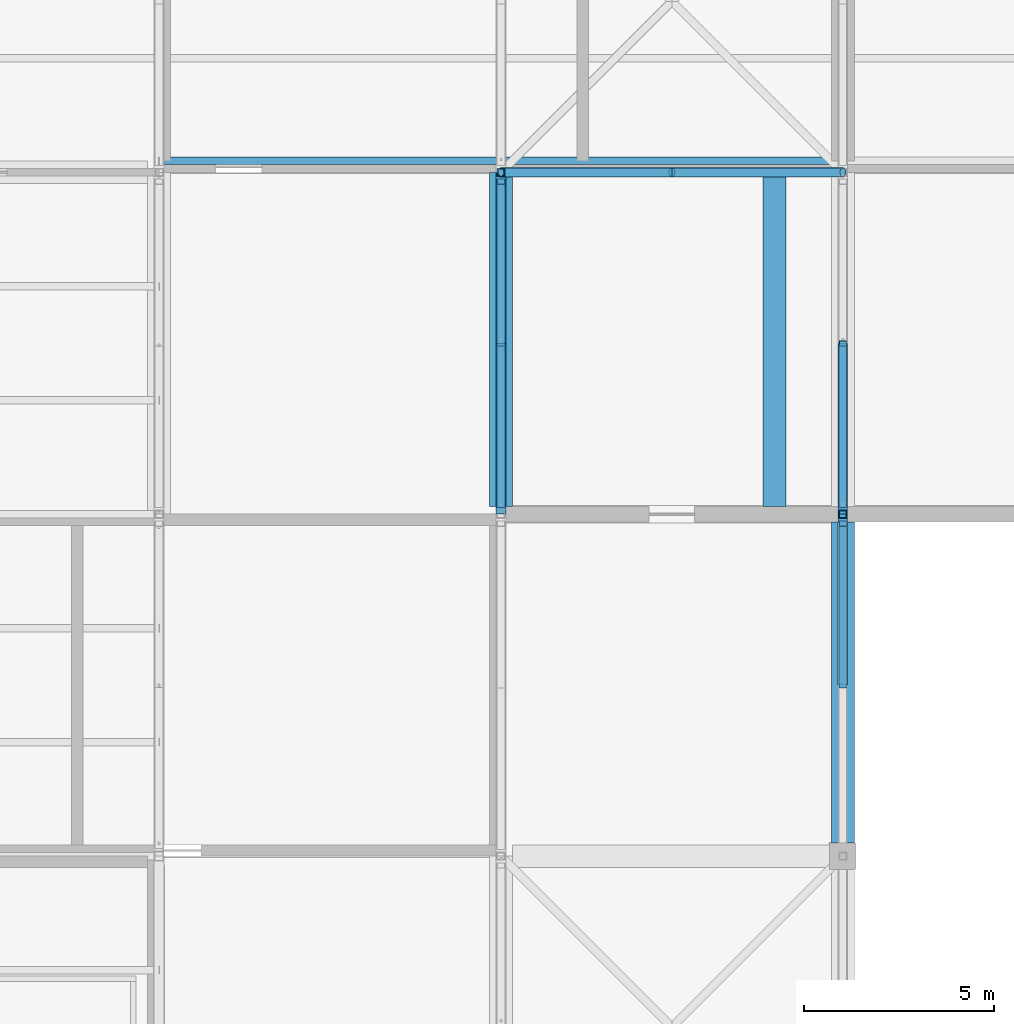
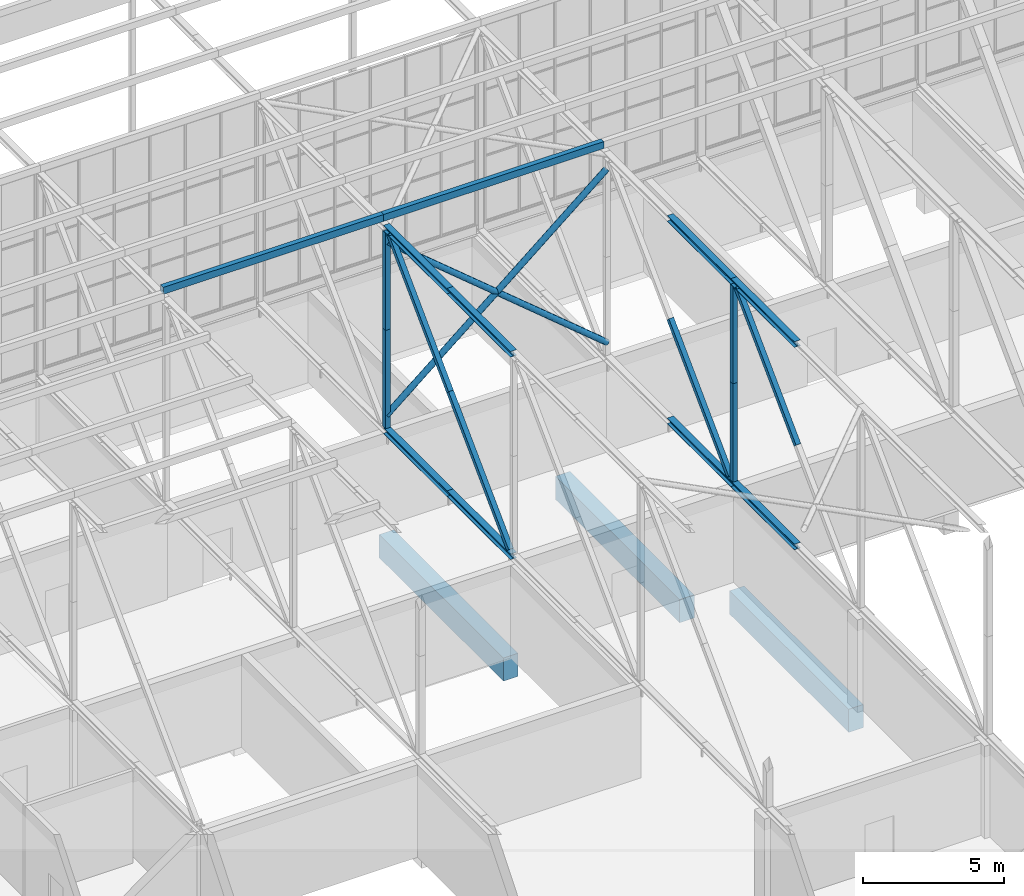
# One storey, part 67 of 646: 22 members, 3 beams.
"""IFC4 building model written with IfcOpenShell, lengths in metres."""

from ifc_helpers import new_model, si_unit, direction, frame, origin, origin_2d, place, context, subcontext, project, spatial, rectangle, hollow_rectangle, hollow_circle, i_section, extrude, material, material_profile, profile_set, type_object, element, save


model = new_model("IFC4")

# Units and contexts
model_context = context("Model", 3, precision=1e-05, world=origin(), true_north=direction((0.0, 1.0)))
body_context = subcontext(model_context, "Body", "Model", "MODEL_VIEW")
ifc_project = project(units=[si_unit("LENGTHUNIT", "METRE"), si_unit("AREAUNIT", "SQUARE_METRE"), si_unit("VOLUMEUNIT", "CUBIC_METRE"), si_unit("PLANEANGLEUNIT", "RADIAN"), si_unit("MASSUNIT", "GRAM", prefix="KILO")], contexts=[model_context])

# Site, building, storey
site_placement = place(None, origin())
site = spatial("IfcSite", under=ifc_project, at=site_placement, CompositionType="ELEMENT")
building_placement = place(site_placement, origin())
building = spatial("IfcBuilding", under=site, at=building_placement, Name="Silverbay Arena", CompositionType="ELEMENT")
storey_placement = place(building_placement, frame((0.0, 0.0, 33.5)))
storey = spatial("IfcBuildingStorey", under=building, at=storey_placement, Name="L05", CompositionType="ELEMENT", Elevation=33.5)

# Members
ifc_material_1 = material(Name="Steel S355", Category="steel")
ifc_material_profile_1 = material_profile(ifc_material_1, i_section(OverallWidth=0.254638671875, OverallDepth=0.254150390625, WebThickness=0.008544921875, FlangeThickness=0.01416015625, at=origin_2d()), Name="UC 254x254x73")
ifc_profile_set_1 = profile_set([ifc_material_profile_1], Name="Steel S355")
member_type_1 = type_object("IfcMemberType", Name="Medium-span bottom chord UC 254x254x73", PredefinedType="CHORD", material=ifc_profile_set_1)
for number, where, z_axis, x_axis, name in (
    (1, (90.0, 126.0, 4.126953125), (0.0, 1.0, 0.0), (-1.0, 0.0, 0.0), "ROOF TRUSS 11 bottom chord 14a"),
    (2, (90.0, 130.5, 4.126953125), (0.0, 1.0, 0.0), (-1.0, 0.0, 0.0), "ROOF TRUSS 11 bottom chord 14b"),
    (3, (99.0, 121.5, 4.126953125), (0.0, 1.0, 0.0), (-1.0, 0.0, 0.0), "ROOF TRUSS 12 bottom chord 13b"),
    (4, (99.0, 126.0, 4.126953125), (0.0, 1.0, 0.0), (-1.0, 0.0, 0.0), "ROOF TRUSS 12 bottom chord 14a"),
):
    element("IfcMember", number, at=place(storey_placement, frame(where, z_axis=z_axis, x_axis=x_axis)), inside=storey, type_object=member_type_1, Name=name, PredefinedType="CHORD", context=body_context, shape_type="SweptSolid", body=[
        extrude(i_section(OverallWidth=0.254638671875, OverallDepth=0.254150390625, WebThickness=0.008544921875, FlangeThickness=0.01416015625, at=origin_2d()), origin(), (0.0, 0.0, 1.0), 4.5),
    ])
ifc_material_2 = material(Name="Steel S355", Category="steel")
ifc_material_profile_2 = material_profile(ifc_material_2, i_section(OverallWidth=0.254638671875, OverallDepth=0.254150390625, WebThickness=0.008544921875, FlangeThickness=0.01416015625, at=origin_2d()), Name="UC 254x254x73")
ifc_profile_set_2 = profile_set([ifc_material_profile_2], Name="Steel S355")
member_type_2 = type_object("IfcMemberType", Name="Medium-span top chord UC 254x254x73", PredefinedType="CHORD", material=ifc_profile_set_2)
for number, where, z_axis, x_axis, name in (
    (5, (90.0, 126.0, 12.873046875), (0.0, 1.0, 0.0), (-1.0, 0.0, 0.0), "ROOF TRUSS 11 top chord 14a"),
    (6, (90.0, 130.5, 12.873046875), (0.0, 1.0, 0.0), (-1.0, 0.0, 0.0), "ROOF TRUSS 11 top chord 14b"),
    (7, (99.0, 121.5, 12.873046875), (0.0, 1.0, 0.0), (-1.0, 0.0, 0.0), "ROOF TRUSS 12 top chord 13b"),
    (8, (99.0, 126.0, 12.873046875), (0.0, 1.0, 0.0), (-1.0, 0.0, 0.0), "ROOF TRUSS 12 top chord 14a"),
):
    element("IfcMember", number, at=place(storey_placement, frame(where, z_axis=z_axis, x_axis=x_axis)), inside=storey, type_object=member_type_2, Name=name, PredefinedType="CHORD", context=body_context, shape_type="SweptSolid", body=[
        extrude(i_section(OverallWidth=0.254638671875, OverallDepth=0.254150390625, WebThickness=0.008544921875, FlangeThickness=0.01416015625, at=origin_2d()), origin(), (0.0, 0.0, 1.0), 4.5),
    ])
ifc_material_3 = material(Name="Steel S355", Category="steel")
ifc_material_profile_3 = material_profile(ifc_material_3, hollow_rectangle(XDim=0.199951171875, YDim=0.199951171875, WallThickness=0.008056640625, at=origin_2d()), Name="SHS 200x200x8")
ifc_profile_set_3 = profile_set([ifc_material_profile_3], Name="Steel S355")
member_type_3 = type_object("IfcMemberType", Name="Medium-span truss diagonal SHS 200x200x8", PredefinedType="BRACE", material=ifc_profile_set_3)
for number, where, z_axis, x_axis, name in (
    (9, (90.0, 134.75439453125, 12.745849609375), (0.0, -0.70781724692, -0.706395600894), (1.0, 0.0, 0.0), "ROOF TRUSS 11 diagonal 14a"),
    (10, (90.0, 130.5, 8.5), (0.0, -0.70781724692, -0.706395600894), (1.0, 0.0, 0.0), "ROOF TRUSS 11 diagonal 14b"),
    (11, (99.0, 125.75439453125, 12.745849609375), (0.0, -0.70781724692, -0.706395600894), (1.0, 0.0, 0.0), "ROOF TRUSS 12 diagonal 13a"),
    (12, (99.0, 130.5, 8.5), (0.0, -0.70781724692, -0.706395600894), (1.0, 0.0, 0.0), "ROOF TRUSS 12 diagonal 14b"),
):
    element("IfcMember", number, at=place(storey_placement, frame(where, z_axis=z_axis, x_axis=x_axis)), inside=storey, type_object=member_type_3, Name=name, PredefinedType="BRACE", context=body_context, shape_type="SweptSolid", body=[
        extrude(hollow_rectangle(XDim=0.199951171875, YDim=0.199951171875, WallThickness=0.008056640625, at=origin_2d()), origin(), (0.0, 0.0, 1.0), 6.010498046875),
    ])
ifc_material_4 = material(Name="Steel S355", Category="steel")
ifc_material_profile_4 = material_profile(ifc_material_4, hollow_rectangle(XDim=0.199951171875, YDim=0.199951171875, WallThickness=0.008056640625, at=origin_2d()), Name="SHS 200x200x8")
ifc_profile_set_4 = profile_set([ifc_material_profile_4], Name="Steel S355")
member_type_4 = type_object("IfcMemberType", Name="Medium-span truss vertical SHS 200x200x8", PredefinedType="STRUT", material=ifc_profile_set_4)
for number, where, z_axis, x_axis, name in (
    (13, (90.0, 135.0, 4.254150390625), (0.0, 0.0, 1.0), (1.0, 0.0, 0.0), "ROOF TRUSS 11 vertical 15a"),
    (14, (90.0, 135.0, 8.5), (0.0, 0.0, 1.0), (1.0, 0.0, 0.0), "ROOF TRUSS 11 vertical 15b"),
    (15, (99.0, 126.0, 4.254150390625), (0.0, 0.0, 1.0), (1.0, 0.0, 0.0), "ROOF TRUSS 12 vertical 14a"),
    (16, (99.0, 126.0, 8.5), (0.0, 0.0, 1.0), (1.0, 0.0, 0.0), "ROOF TRUSS 12 vertical 14b"),
):
    element("IfcMember", number, at=place(storey_placement, frame(where, z_axis=z_axis, x_axis=x_axis)), inside=storey, type_object=member_type_4, Name=name, PredefinedType="STRUT", context=body_context, shape_type="SweptSolid", body=[
        extrude(hollow_rectangle(XDim=0.199951171875, YDim=0.199951171875, WallThickness=0.008056640625, at=origin_2d()), origin(), (0.0, 0.0, 1.0), 4.245849609375),
    ])
ifc_material_5 = material(Name="Steel S355", Category="steel")
ifc_material_profile_5 = material_profile(ifc_material_5, hollow_rectangle(XDim=0.199951171875, YDim=0.300048828125, WallThickness=0.00634765625, at=origin_2d()), Name="RHS 300x200x6.3")
ifc_profile_set_5 = profile_set([ifc_material_profile_5], Name="Steel S355")
member_type_5 = type_object("IfcMemberType", Name="Purlin RHS 300x200x6.3", PredefinedType="PURLIN", material=ifc_profile_set_5)
for number, where, z_axis, x_axis, name in (
    (17, (81.0, 135.300048828125, 13.14990234375), (1.0, 0.0, 0.0), (0.0, 1.0, 0.0), "ROOF PURLIN crown rim north 10-11"),
    (18, (90.0, 135.300048828125, 13.14990234375), (1.0, 0.0, 0.0), (0.0, 1.0, 0.0), "ROOF PURLIN crown rim north 11-12"),
):
    element("IfcMember", number, at=place(storey_placement, frame(where, z_axis=z_axis, x_axis=x_axis)), inside=storey, type_object=member_type_5, Name=name, PredefinedType="PURLIN", context=body_context, shape_type="SweptSolid", body=[
        extrude(hollow_rectangle(XDim=0.199951171875, YDim=0.300048828125, WallThickness=0.00634765625, at=origin_2d()), origin(), (0.0, 0.0, 1.0), 9.0),
    ])

# Beams
ifc_material_6 = material(Name="Concrete Grade C45", Category="concrete")
ifc_material_profile_6 = material_profile(ifc_material_6, rectangle(XDim=0.60009765625, YDim=1.0, at=origin_2d()), Name="RC 600x1000")
ifc_profile_set_6 = profile_set([ifc_material_profile_6], Name="Concrete Grade C45")
beam_type = type_object("IfcBeamType", Name="RC beam 600x1000", PredefinedType="BEAM", material=ifc_profile_set_6)
for number, where, z_axis, x_axis, name in (
    (19, (90.0, 126.199951171875, -0.800048828125), (0.0, 1.0, 0.0), (-1.0, 0.0, 0.0), "Floor beam L05 094"),
    (20, (97.199951171875, 126.199951171875, -0.800048828125), (0.0, 1.0, 0.0), (-1.0, 0.0, 0.0), "Floor beam L05 096"),
):
    element("IfcBeam", number, at=place(storey_placement, frame(where, z_axis=z_axis, x_axis=x_axis)), inside=storey, type_object=beam_type, Name=name, PredefinedType="BEAM", context=body_context, shape_type="SweptSolid", body=[
        extrude(rectangle(XDim=0.60009765625, YDim=1.0, at=origin_2d()), origin(), (0.0, 0.0, 1.0), 8.800048828125),
    ])
beam_placement = place(storey_placement, frame((99.0, 117.35009765625, -0.800048828125), z_axis=(0.0, 1.0, 0.0), x_axis=(-1.0, 0.0, 0.0)))
element("IfcBeam", 21, at=beam_placement, inside=storey, type_object=beam_type, Name="Floor beam L05 103", PredefinedType="BEAM", context=body_context, shape_type="SweptSolid", body=[
    extrude(rectangle(XDim=0.60009765625, YDim=1.0, at=origin_2d()), origin(), (0.0, 0.0, 1.0), 8.449951171875),
])

# Members
ifc_material_7 = material(Name="Steel S355", Category="steel")
ifc_material_profile_7 = material_profile(ifc_material_7, hollow_circle(Radius=0.122314453125, WallThickness=0.00634765625, at=origin_2d()), Name="CHS 244.5x6.3")
ifc_profile_set_7 = profile_set([ifc_material_profile_7], Name="Steel S355")
member_type_6 = type_object("IfcMemberType", Name="Vertical bracing CHS 244.5x6.3", PredefinedType="BRACE", material=ifc_profile_set_7)
for number, where, z_axis, x_axis, name in (
    (22, (90.0, 135.0, 4.754150390625), (0.768569784798, 0.0, 0.639765961814), (0.0, 1.0, 0.0), "ROOF BRACING vertical 11-12 line 15 Aa"),
    (23, (94.5, 135.0, 8.5), (0.768569784798, 0.0, 0.639765961814), (0.0, 1.0, 0.0), "ROOF BRACING vertical 11-12 line 15 Ab"),
    (24, (90.0, 135.0, 12.245849609375), (0.768569784798, 0.0, -0.639765961814), (0.0, 1.0, 0.0), "ROOF BRACING vertical 11-12 line 15 Ba"),
    (25, (94.5, 135.0, 8.5), (0.768569784798, 0.0, -0.639765961814), (0.0, 1.0, 0.0), "ROOF BRACING vertical 11-12 line 15 Bb"),
):
    element("IfcMember", number, at=place(storey_placement, frame(where, z_axis=z_axis, x_axis=x_axis)), inside=storey, type_object=member_type_6, Name=name, PredefinedType="BRACE", context=body_context, shape_type="SweptSolid", body=[
        extrude(hollow_circle(Radius=0.122314453125, WallThickness=0.00634765625, at=origin_2d()), origin(), (0.0, 0.0, 1.0), 5.85498046875),
    ])

save(model, "model.ifc")
